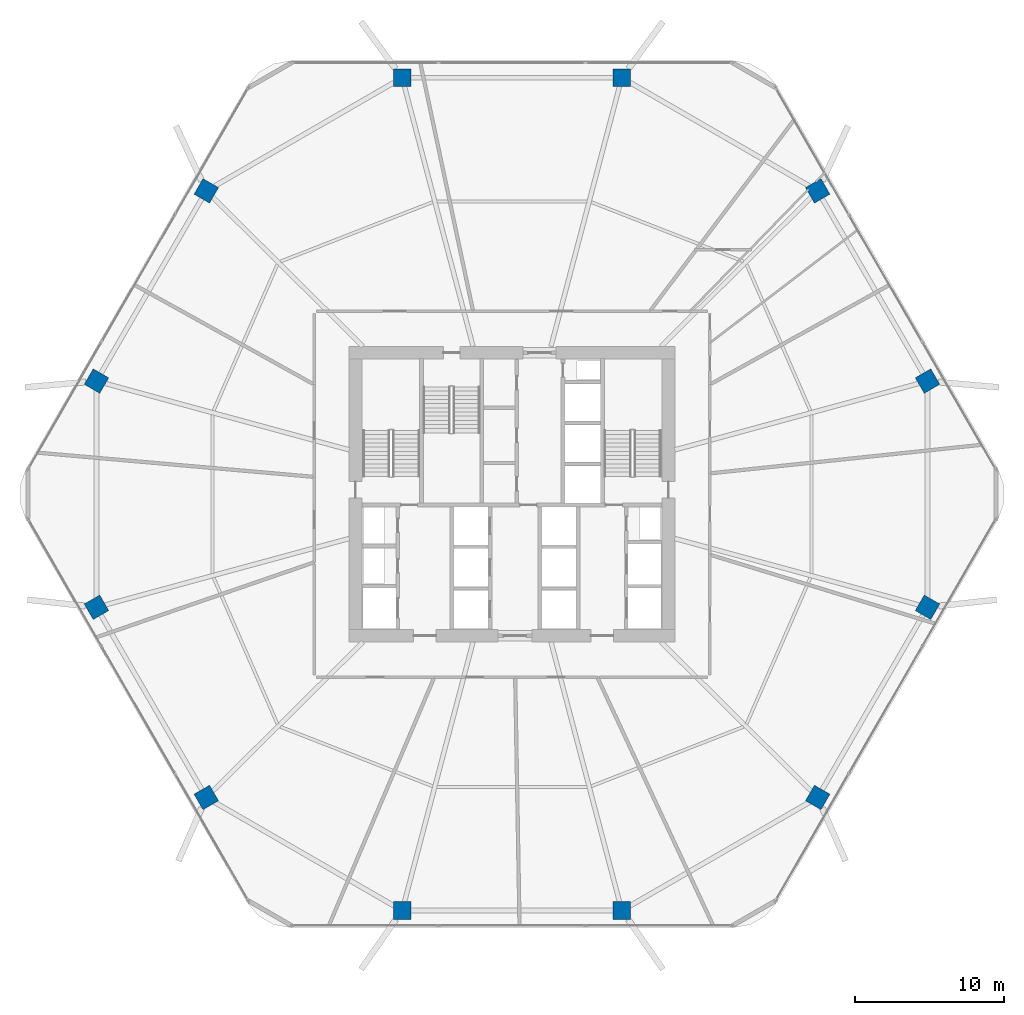
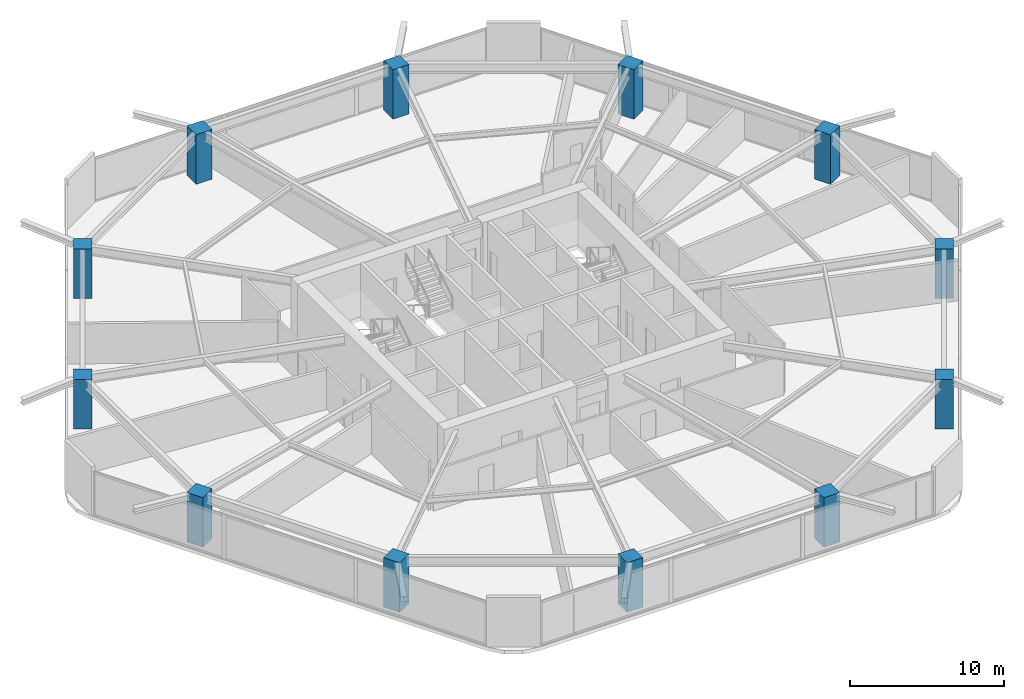
# One storey, part 1 of 25: 12 columns.
"""IFC4 building model written with IfcOpenShell, lengths in metres."""

from ifc_helpers import new_model, si_unit, direction, frame, origin, origin_2d, place, context, subcontext, project, spatial, rectangle, extrude, material, material_profile, profile_set, type_object, element, save


model = new_model("IFC4")

# Units and contexts
model_context = context("Model", 3, precision=1e-05, world=origin(), true_north=direction((0.0, 1.0)))
body_context = subcontext(model_context, "Body", "Model", "MODEL_VIEW")
ifc_project = project(units=[si_unit("LENGTHUNIT", "METRE"), si_unit("AREAUNIT", "SQUARE_METRE"), si_unit("VOLUMEUNIT", "CUBIC_METRE"), si_unit("PLANEANGLEUNIT", "RADIAN"), si_unit("MASSUNIT", "GRAM", prefix="KILO")], contexts=[model_context])

# Site, building, storey
site_placement = place(None, origin())
site = spatial("IfcSite", under=ifc_project, at=site_placement, CompositionType="ELEMENT")
building_placement = place(site_placement, origin())
building = spatial("IfcBuilding", under=site, at=building_placement, Name="Zuhravey Tower", CompositionType="ELEMENT")
storey_placement = place(building_placement, frame((0.0, 0.0, 54.0)))
storey = spatial("IfcBuildingStorey", under=building, at=storey_placement, Name="L13", CompositionType="ELEMENT", Elevation=54.0)

# Columns
ifc_material = material(Name="Concrete C60/75", Category="concrete")
ifc_material_profile = material_profile(ifc_material, rectangle(XDim=1.199951171875, YDim=1.199951171875, at=origin_2d()), Name="RC-1200x1200")
ifc_profile_set = profile_set([ifc_material_profile], Name="Concrete C60/75")
column_type = type_object("IfcColumnType", Name="Zone 1 Perimeter Column 1200x1200", PredefinedType="COLUMN", material=ifc_profile_set)
for number, where, z_axis, x_axis, name in (
    (1, (63.88916015625, 39.591552734375, 0.0), (0.0, 0.0, 1.0), (-0.5, 0.866025403784, 0.0), "L13 Perimeter Column PC01"),
    (2, (56.51904296875, 52.35693359375, 0.0), (0.0, 0.0, 1.0), (-0.5, 0.866025403784, 0.0), "L13 Perimeter Column PC02"),
    (3, (43.3701171875, 59.948486328125, 0.0), (0.0, 0.0, 1.0), (-1.0, 0.0, 0.0), "L13 Perimeter Column PC03"),
    (4, (28.6298828125, 59.948486328125, 0.0), (0.0, 0.0, 1.0), (-1.0, 0.0, 0.0), "L13 Perimeter Column PC04"),
    (5, (15.48095703125, 52.35693359375, 0.0), (0.0, 0.0, 1.0), (-0.5, -0.866025403784, 0.0), "L13 Perimeter Column PC05"),
    (6, (8.11083984375, 39.591552734375, 0.0), (0.0, 0.0, 1.0), (-0.5, -0.866025403784, 0.0), "L13 Perimeter Column PC06"),
    (7, (8.11083984375, 24.408447265625, 0.0), (0.0, 0.0, 1.0), (0.5, -0.866025403784, 0.0), "L13 Perimeter Column PC07"),
    (8, (15.48095703125, 11.64306640625, 0.0), (0.0, 0.0, 1.0), (0.5, -0.866025403784, 0.0), "L13 Perimeter Column PC08"),
    (9, (28.6298828125, 4.051513671875, 0.0), (0.0, 0.0, 1.0), (1.0, 0.0, 0.0), "L13 Perimeter Column PC09"),
    (10, (43.3701171875, 4.051513671875, 0.0), (0.0, 0.0, 1.0), (1.0, 0.0, 0.0), "L13 Perimeter Column PC10"),
    (11, (56.51904296875, 11.64306640625, 0.0), (0.0, 0.0, 1.0), (0.5, 0.866025403784, 0.0), "L13 Perimeter Column PC11"),
    (12, (63.88916015625, 24.408447265625, 0.0), (0.0, 0.0, 1.0), (0.5, 0.866025403784, 0.0), "L13 Perimeter Column PC12"),
):
    element("IfcColumn", number, at=place(storey_placement, frame(where, z_axis=z_axis, x_axis=x_axis)), inside=storey, type_object=column_type, Name=name, PredefinedType="COLUMN", context=body_context, shape_type="SweptSolid", body=[
        extrude(rectangle(XDim=1.199951171875, YDim=1.199951171875, at=origin_2d()), origin(), (0.0, 0.0, 1.0), 3.919921875),
    ])

save(model, "model.ifc")
